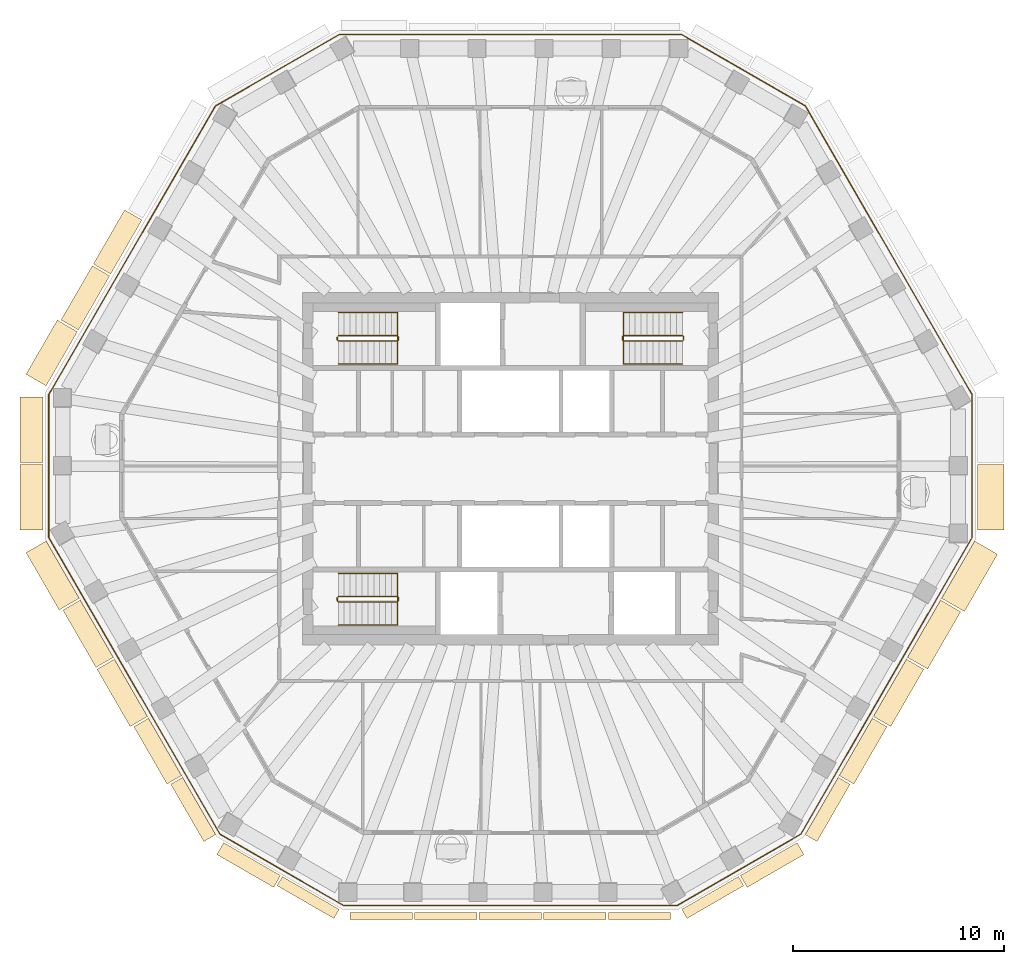
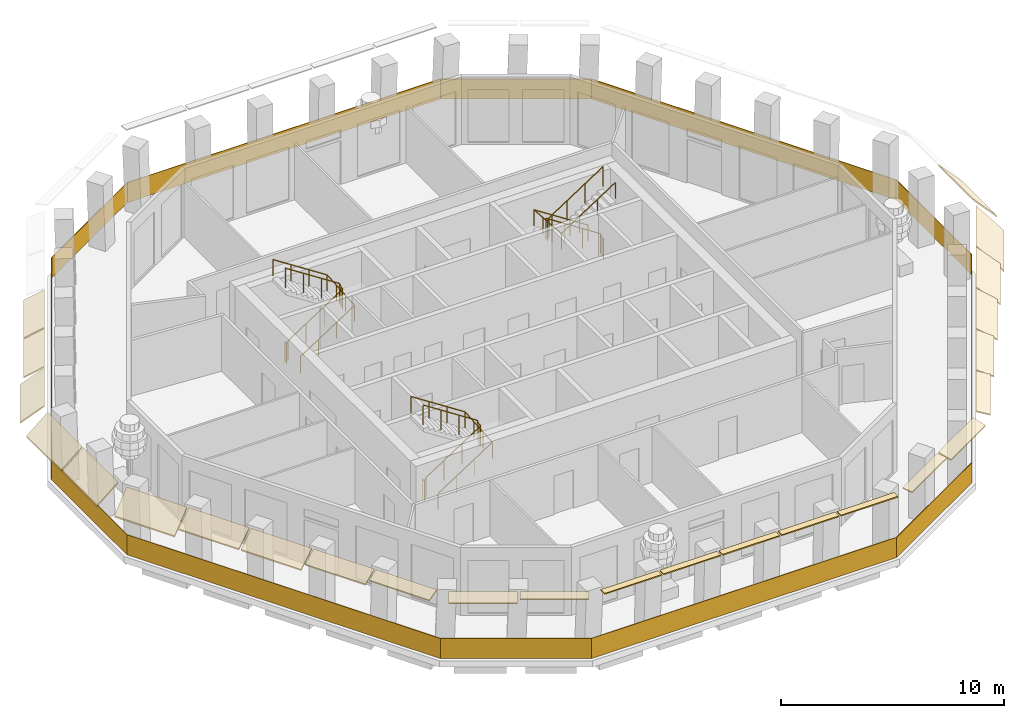
# One storey, part 8 of 11: 25 coverings, 7 railings.
"""IFC4 building model written with IfcOpenShell, lengths in metres."""

from ifc_helpers import new_model, si_unit, direction, frame, origin, origin_2d, place, context, subcontext, project, spatial, polyline, rectangle, circle, outline, extrude, material, layer, layer_set, type_object, element, save


model = new_model("IFC4")

# Units and contexts
model_context = context("Model", 3, precision=1e-05, world=origin(), true_north=direction((0.0, 1.0)))
body_context = subcontext(model_context, "Body", "Model", "MODEL_VIEW")
ifc_project = project(units=[si_unit("LENGTHUNIT", "METRE"), si_unit("AREAUNIT", "SQUARE_METRE"), si_unit("VOLUMEUNIT", "CUBIC_METRE"), si_unit("PLANEANGLEUNIT", "RADIAN"), si_unit("MASSUNIT", "GRAM", prefix="KILO")], contexts=[model_context])

# Site, building, storey
site_placement = place(None, origin())
site = spatial("IfcSite", under=ifc_project, at=site_placement, CompositionType="ELEMENT")
building_placement = place(site_placement, origin())
building = spatial("IfcBuilding", under=site, at=building_placement, Name="Frailejon Research Tower", CompositionType="ELEMENT")
storey_placement = place(building_placement, frame((0.0, 0.0, 312.60009765625)))
storey = spatial("IfcBuildingStorey", under=building, at=storey_placement, Name="L69", CompositionType="ELEMENT", Elevation=312.60009765625)

# Coverings
ifc_material_1 = material(Name="Precast concrete C50/60", Category="concrete")
ifc_layer_1 = layer(ifc_material_1, 0.06005859375)
ifc_layer_set_1 = layer_set([ifc_layer_1], Name="Brim blade depth 1100")
covering_type_1 = type_object("IfcCoveringType", Name="Brim blade depth 1100", PredefinedType="CLADDING", material=ifc_layer_set_1)
covering_1_placement = place(storey_placement, frame((-21.98388671875, 3.92578125, 3.849853515625), z_axis=(0.499995248145, 0.866028147252, 0.0), x_axis=(-0.866028147252, 0.499995248145, 0.0)))
element("IfcCovering", 1, at=covering_1_placement, inside=storey, type_object=covering_type_1, Name="Brim blade L69", PredefinedType="CLADDING", context=body_context, shape_type="SweptSolid", body=[
    extrude(outline(polyline([(0.0, -0.078369140625), (1.10009765625, -1.001220703125), (1.10009765625, -0.923095703125), (0.0, 0.0), (0.0, -0.078369140625)])), origin(), (0.0, 0.0, 1.0), 2.956787109375),
])
for number, where, z_axis, x_axis, name in (
    (2, (-22.122802734375, 0.301513671875, 3.849853515625), (0.0, 1.0, 0.0), (-1.0, 0.0, 0.0), "Brim blade L69"),
    (3, (-22.122802734375, -2.90478515625, 3.849853515625), (0.0, 1.0, 0.0), (-1.0, 0.0, 0.0), "Brim blade L69"),
):
    element("IfcCovering", number, at=place(storey_placement, frame(where, z_axis=z_axis, x_axis=x_axis)), inside=storey, type_object=covering_type_1, Name=name, PredefinedType="CLADDING", context=body_context, shape_type="SweptSolid", body=[
        extrude(outline(polyline([(0.0, -0.078369140625), (1.10009765625, -1.001220703125), (1.10009765625, -0.923095703125), (0.0, 0.0), (0.0, -0.078369140625)])), origin(), (0.0, 0.0, 1.0), 3.106201171875),
    ])
for number, where, z_axis, x_axis, name in (
    (4, (-20.418212890625, -6.134521484375, 3.849853515625), (-0.500003763089, 0.866023231153, 0.0), (-0.866023231153, -0.500003763089, 0.0), "Brim blade L69"),
    (5, (20.368408203125, -6.22119140625, 3.849853515625), (-0.500003763089, -0.866023231153, 0.0), (0.866023231153, -0.500003763089, 0.0), "Brim blade L69"),
):
    element("IfcCovering", number, at=place(storey_placement, frame(where, z_axis=z_axis, x_axis=x_axis)), inside=storey, type_object=covering_type_1, Name=name, PredefinedType="CLADDING", context=body_context, shape_type="SweptSolid", body=[
        extrude(outline(polyline([(0.0, -0.078369140625), (1.10009765625, -1.001220703125), (1.10009765625, -0.923095703125), (0.0, 0.0), (0.0, -0.078369140625)])), origin(), (0.0, 0.0, 1.0), 3.131103515625),
    ])
ifc_material_2 = material(Name="Precast concrete C50/60", Category="concrete")
ifc_layer_2 = layer(ifc_material_2, 0.06005859375)
ifc_layer_set_2 = layer_set([ifc_layer_2], Name="Brim blade depth 1250")
covering_type_2 = type_object("IfcCoveringType", Name="Brim blade depth 1250", PredefinedType="CLADDING", material=ifc_layer_set_2)
covering_2_placement = place(storey_placement, frame((22.122802734375, 0.201416015625, 3.849853515625), z_axis=(0.0, -1.0, 0.0), x_axis=(1.0, 0.0, 0.0)))
element("IfcCovering", 6, at=covering_2_placement, inside=storey, type_object=covering_type_2, Name="Brim blade L69", PredefinedType="CLADDING", context=body_context, shape_type="SweptSolid", body=[
    extrude(outline(polyline([(0.0, -0.0888671875), (1.25, -1.452880859375), (1.25, -1.364013671875), (0.0, 0.0), (0.0, -0.0888671875)])), origin(), (0.0, 0.0, 1.0), 3.106201171875),
])
covering_3_placement = place(storey_placement, frame((21.98388671875, -3.423095703125, 3.849853515625), z_axis=(-0.500003763089, -0.866023231153, 0.0), x_axis=(0.866023231153, -0.500003763089, 0.0)))
element("IfcCovering", 7, at=covering_3_placement, inside=storey, type_object=covering_type_2, Name="Brim blade L69", PredefinedType="CLADDING", context=body_context, shape_type="SweptSolid", body=[
    extrude(outline(polyline([(0.0, -0.0888671875), (1.25, -1.452880859375), (1.25, -1.364013671875), (0.0, 0.0), (0.0, -0.0888671875)])), origin(), (0.0, 0.0, 1.0), 3.131103515625),
])
ifc_material_3 = material(Name="Precast concrete C50/60", Category="concrete")
ifc_layer_3 = layer(ifc_material_3, 0.06005859375)
ifc_layer_set_3 = layer_set([ifc_layer_3], Name="Brim blade depth 350")
covering_type_3 = type_object("IfcCoveringType", Name="Brim blade depth 350", PredefinedType="CLADDING", material=ifc_layer_set_3)
for number, where, z_axis, x_axis, name in (
    (8, (-4.63525390625, -21.00146484375, 3.849853515625), (-1.0, 0.0, 0.0), (0.0, -1.0, 0.0), "Brim blade L69"),
    (9, (-1.578369140625, -21.00146484375, 3.849853515625), (-1.0, 0.0, 0.0), (0.0, -1.0, 0.0), "Brim blade L69"),
    (10, (1.478515625, -21.00146484375, 3.849853515625), (-1.0, 0.0, 0.0), (0.0, -1.0, 0.0), "Brim blade L69"),
    (11, (4.53515625, -21.00146484375, 3.849853515625), (-1.0, 0.0, 0.0), (0.0, -1.0, 0.0), "Brim blade L69"),
    (12, (7.592041015625, -21.00146484375, 3.849853515625), (-1.0, 0.0, 0.0), (0.0, -1.0, 0.0), "Brim blade L69"),
):
    element("IfcCovering", number, at=place(storey_placement, frame(where, z_axis=z_axis, x_axis=x_axis)), inside=storey, type_object=covering_type_3, Name=name, PredefinedType="CLADDING", context=body_context, shape_type="SweptSolid", body=[
        extrude(outline(polyline([(0.0, -0.06005859375), (0.35009765625, -0.06005859375), (0.35009765625, 0.0), (0.0, 0.0), (0.0, -0.06005859375)])), origin(), (0.0, 0.0, 1.0), 2.956787109375),
    ])
ifc_material_4 = material(Name="Precast concrete C50/60", Category="concrete")
ifc_layer_4 = layer(ifc_material_4, 0.06005859375)
ifc_layer_set_4 = layer_set([ifc_layer_4], Name="Brim blade depth 500")
covering_type_4 = type_object("IfcCoveringType", Name="Brim blade depth 500", PredefinedType="CLADDING", material=ifc_layer_set_4)
for number, where, z_axis, x_axis, name in (
    (13, (-8.1103515625, -20.862548828125, 3.849853515625), (-0.86602716254, 0.499996953734, 0.0), (-0.499996953734, -0.86602716254, 0.0), "Brim blade L69"),
    (14, (10.80029296875, -19.3095703125, 3.849853515625), (-0.86602716254, -0.499996953734, 0.0), (0.499996953734, -0.86602716254, 0.0), "Brim blade L69"),
):
    element("IfcCovering", number, at=place(storey_placement, frame(where, z_axis=z_axis, x_axis=x_axis)), inside=storey, type_object=covering_type_4, Name=name, PredefinedType="CLADDING", context=body_context, shape_type="SweptSolid", body=[
        extrude(outline(polyline([(0.0, -0.060546875), (0.5, -0.130859375), (0.5, -0.0703125), (0.0, 0.0), (0.0, -0.060546875)])), origin(), (0.0, 0.0, 1.0), 3.10595703125),
    ])
ifc_material_5 = material(Name="Precast concrete C50/60", Category="concrete")
ifc_layer_5 = layer(ifc_material_5, 0.06005859375)
ifc_layer_set_5 = layer_set([ifc_layer_5], Name="Brim blade depth 650")
covering_type_5 = type_object("IfcCoveringType", Name="Brim blade depth 650", PredefinedType="CLADDING", material=ifc_layer_set_5)
covering_4_placement = place(storey_placement, frame((-13.956298828125, -17.326904296875, 3.849853515625), z_axis=(-0.500003763089, 0.866023231153, 0.0), x_axis=(-0.866023231153, -0.500003763089, 0.0)))
element("IfcCovering", 15, at=covering_4_placement, inside=storey, type_object=covering_type_5, Name="Brim blade L69", PredefinedType="CLADDING", context=body_context, shape_type="SweptSolid", body=[
    extrude(outline(polyline([(0.0, -0.0625), (0.64990234375, -0.248779296875), (0.64990234375, -0.186279296875), (0.0, 0.0), (0.0, -0.0625)])), origin(), (0.0, 0.0, 1.0), 3.131103515625),
])
for number, where, z_axis, x_axis, name in (
    (16, (-10.886962890625, -19.259521484375, 3.849853515625), (-0.86601365609, 0.500020347052, 0.0), (-0.500020347052, -0.86601365609, 0.0), "Brim blade L69"),
    (17, (13.576904296875, -17.706298828125, 3.849853515625), (-0.86601365609, -0.500020347052, 0.0), (0.500020347052, -0.86601365609, 0.0), "Brim blade L69"),
):
    element("IfcCovering", number, at=place(storey_placement, frame(where, z_axis=z_axis, x_axis=x_axis)), inside=storey, type_object=covering_type_5, Name=name, PredefinedType="CLADDING", context=body_context, shape_type="SweptSolid", body=[
        extrude(outline(polyline([(0.0, -0.0625), (0.64990234375, -0.248779296875), (0.64990234375, -0.186279296875), (0.0, 0.0), (0.0, -0.0625)])), origin(), (0.0, 0.0, 1.0), 3.106201171875),
    ])
covering_5_placement = place(storey_placement, frame((15.521728515625, -14.615478515625, 3.849853515625), z_axis=(-0.500003763089, -0.866023231153, 0.0), x_axis=(0.866023231153, -0.500003763089, 0.0)))
element("IfcCovering", 18, at=covering_5_placement, inside=storey, type_object=covering_type_5, Name="Brim blade L69", PredefinedType="CLADDING", context=body_context, shape_type="SweptSolid", body=[
    extrude(outline(polyline([(0.0, -0.0625), (0.64990234375, -0.248779296875), (0.64990234375, -0.186279296875), (0.0, 0.0), (0.0, -0.0625)])), origin(), (0.0, 0.0, 1.0), 3.131103515625),
])
ifc_material_6 = material(Name="Precast concrete C50/60", Category="concrete")
ifc_layer_6 = layer(ifc_material_6, 0.06005859375)
ifc_layer_set_6 = layer_set([ifc_layer_6], Name="Brim blade depth 800")
covering_type_6 = type_object("IfcCoveringType", Name="Brim blade depth 800", PredefinedType="CLADDING", material=ifc_layer_set_6)
for number, where, z_axis, x_axis, name in (
    (19, (-15.57177734375, -14.52880859375, 3.849853515625), (-0.500026975087, 0.866009829151, 0.0), (-0.866009829151, -0.500026975087, 0.0), "Brim blade L69"),
    (20, (17.13720703125, -11.8173828125, 3.849853515625), (-0.500026975087, -0.866009829151, 0.0), (0.866009829151, -0.500026975087, 0.0), "Brim blade L69"),
):
    element("IfcCovering", number, at=place(storey_placement, frame(where, z_axis=z_axis, x_axis=x_axis)), inside=storey, type_object=covering_type_6, Name=name, PredefinedType="CLADDING", context=body_context, shape_type="SweptSolid", body=[
        extrude(outline(polyline([(0.0, -0.065673828125), (0.800048828125, -0.421875), (0.800048828125, -0.356201171875), (0.0, 0.0), (0.0, -0.065673828125)])), origin(), (0.0, 0.0, 1.0), 3.131103515625),
    ])
ifc_material_7 = material(Name="Precast concrete C50/60", Category="concrete")
ifc_layer_7 = layer(ifc_material_7, 0.06005859375)
ifc_layer_set_7 = layer_set([ifc_layer_7], Name="Brim blade depth 950")
covering_type_7 = type_object("IfcCoveringType", Name="Brim blade depth 950", PredefinedType="CLADDING", material=ifc_layer_set_7)
for number, where, z_axis, x_axis, name in (
    (21, (-18.927001953125, 9.220458984375, 3.849853515625), (0.499995248145, 0.866028147252, 0.0), (-0.866028147252, 0.499995248145, 0.0), "Brim blade L69"),
    (22, (-20.455322265625, 6.572998046875, 3.849853515625), (0.500019782897, 0.866013981822, 0.0), (-0.866013981822, 0.500019782897, 0.0), "Brim blade L69"),
):
    element("IfcCovering", number, at=place(storey_placement, frame(where, z_axis=z_axis, x_axis=x_axis)), inside=storey, type_object=covering_type_7, Name=name, PredefinedType="CLADDING", context=body_context, shape_type="SweptSolid", body=[
        extrude(outline(polyline([(0.0, -0.07080078125), (0.949951171875, -0.664306640625), (0.949951171875, -0.593505859375), (0.0, 0.0), (0.0, -0.07080078125)])), origin(), (0.0, 0.0, 1.0), 2.956787109375),
    ])
for number, where, z_axis, x_axis, name in (
    (23, (-18.802734375, -8.9326171875, 3.849853515625), (-0.500003763089, 0.866023231153, 0.0), (-0.866023231153, -0.500003763089, 0.0), "Brim blade L69"),
    (24, (-17.187255859375, -11.730712890625, 3.849853515625), (-0.499990362093, 0.866030968161, 0.0), (-0.866030968161, -0.499990362093, 0.0), "Brim blade L69"),
    (25, (18.752685546875, -9.019287109375, 3.849853515625), (-0.499990362093, -0.866030968161, 0.0), (0.866030968161, -0.499990362093, 0.0), "Brim blade L69"),
):
    element("IfcCovering", number, at=place(storey_placement, frame(where, z_axis=z_axis, x_axis=x_axis)), inside=storey, type_object=covering_type_7, Name=name, PredefinedType="CLADDING", context=body_context, shape_type="SweptSolid", body=[
        extrude(outline(polyline([(0.0, -0.07080078125), (0.949951171875, -0.664306640625), (0.949951171875, -0.593505859375), (0.0, 0.0), (0.0, -0.07080078125)])), origin(), (0.0, 0.0, 1.0), 3.131103515625),
    ])

# Railings
ifc_material_8 = material(Name="Laminated glass balustrade", Category="glass")
railing_type_1 = type_object("IfcRailingType", Name="Glass guard 1100", PredefinedType="GUARDRAIL", material=ifc_material_8)
railing_1_placement = place(storey_placement, frame((21.861083984375, -3.257568359375, 0.0)))
element("IfcRailing", 26, at=railing_1_placement, inside=storey, type_object=railing_type_1, Name="Loggia guard L69", PredefinedType="GUARDRAIL", context=body_context, shape_type="SweptSolid", body=[
    extrude(rectangle(XDim=6.766357421875, YDim=0.030029296875, at=origin_2d()), frame((0.0, 3.38330078125, 0.0), z_axis=(0.0, 0.0, 1.0), x_axis=(0.0, 1.0, 0.0)), (0.0, 0.0, 1.0), 1.10009765625),
    extrude(rectangle(XDim=15.78369140625, YDim=0.030029296875, at=origin_2d()), frame((-3.94580078125, 13.60107421875, 0.0), z_axis=(0.0, 0.0, 1.0), x_axis=(-0.49998533376, 0.866033871176, 0.0)), (0.0, 0.0, 1.0), 1.10009765625),
    extrude(rectangle(XDim=6.766357421875, YDim=0.030029296875, at=origin_2d()), frame((-10.821533203125, 22.126953125, 0.0), z_axis=(0.0, 0.0, 1.0), x_axis=(-0.866034171151, 0.499984814167, 0.0)), (0.0, 0.0, 1.0), 1.10009765625),
    extrude(rectangle(XDim=16.21923828125, YDim=0.030029296875, at=origin_2d()), frame((-21.861083984375, 23.818603515625, 0.0), z_axis=(0.0, 0.0, 1.0), x_axis=(-1.0, 0.0, 0.0)), (0.0, 0.0, 1.0), 1.10009765625),
    extrude(rectangle(XDim=6.766357421875, YDim=0.030029296875, at=origin_2d()), frame((-32.900634765625, 22.126953125, 0.0), z_axis=(0.0, 0.0, 1.0), x_axis=(-0.866034171151, -0.499984814167, 0.0)), (0.0, 0.0, 1.0), 1.10009765625),
    extrude(rectangle(XDim=15.78369140625, YDim=0.030029296875, at=origin_2d()), frame((-39.7763671875, 13.60107421875, 0.0), z_axis=(0.0, 0.0, 1.0), x_axis=(-0.49998533376, -0.866033871176, 0.0)), (0.0, 0.0, 1.0), 1.10009765625),
    extrude(rectangle(XDim=6.766357421875, YDim=0.030029296875, at=origin_2d()), frame((-43.72216796875, 3.38330078125, 0.0), z_axis=(0.0, 0.0, 1.0), x_axis=(0.0, -1.0, 0.0)), (0.0, 0.0, 1.0), 1.10009765625),
    extrude(rectangle(XDim=16.218994140625, YDim=0.030029296875, at=origin_2d()), frame((-39.66748046875, -7.02294921875, 0.0), z_axis=(0.0, 0.0, 1.0), x_axis=(0.499992175891, -0.866029920989, 0.0)), (0.0, 0.0, 1.0), 1.10009765625),
    extrude(rectangle(XDim=6.766357421875, YDim=0.030029296875, at=origin_2d()), frame((-32.682861328125, -15.73779296875, 0.0), z_axis=(0.0, 0.0, 1.0), x_axis=(0.866034171151, -0.499984814167, 0.0)), (0.0, 0.0, 1.0), 1.10009765625),
    extrude(rectangle(XDim=15.78369140625, YDim=0.030029296875, at=origin_2d()), frame((-21.861083984375, -17.42919921875, 0.0), z_axis=(0.0, 0.0, 1.0), x_axis=(1.0, 0.0, 0.0)), (0.0, 0.0, 1.0), 1.10009765625),
    extrude(rectangle(XDim=6.766357421875, YDim=0.030029296875, at=origin_2d()), frame((-11.039306640625, -15.73779296875, 0.0), z_axis=(0.0, 0.0, 1.0), x_axis=(0.866034171151, 0.499984814167, 0.0)), (0.0, 0.0, 1.0), 1.10009765625),
    extrude(rectangle(XDim=16.149169921875, YDim=0.030029296875, at=origin_2d()), frame((-4.072265625, -7.05322265625, 0.0), z_axis=(0.0, 0.0, 1.0), x_axis=(0.49999421546, 0.866028743465, 0.0)), (0.0, 0.0, 1.0), 1.10009765625),
])
ifc_material_9 = material(Name="Stainless steel", Category="steel")
railing_type_2 = type_object("IfcRailingType", Name="Stair guard 1100", PredefinedType="GUARDRAIL", material=ifc_material_9)
railing_2_placement = place(storey_placement, frame((-8.199951171875, 6.25, 0.0)))
element("IfcRailing", 27, at=railing_2_placement, inside=storey, type_object=railing_type_2, Name="L69 ST1 stair guard 1", PredefinedType="GUARDRAIL", context=body_context, shape_type="SweptSolid", body=[
    extrude(circle(Radius=0.02392578125, at=origin_2d()), frame((0.0, 0.0, 1.076171875), z_axis=(0.0, -1.0, 0.0), x_axis=(1.0, 0.0, 0.0)), (0.0, 0.0, 1.0), 0.14990234375),
    extrude(circle(Radius=0.02392578125, at=origin_2d()), frame((0.0, -0.14990234375, 1.076171875), z_axis=(0.256734642926, -0.256734642926, 0.931758899203), x_axis=(0.707106781187, 0.707106781187, 0.0)), (0.0, 0.0, 1.0), 0.19482421875),
    extrude(circle(Radius=0.02392578125, at=origin_2d()), frame((0.050048828125, -0.199951171875, 1.2578125), z_axis=(0.838650734948, 0.0, 0.544669573936), x_axis=(0.0, 1.0, 0.0)), (0.0, 0.0, 1.0), 3.33837890625),
    extrude(circle(Radius=0.02392578125, at=origin_2d()), frame((2.849853515625, -0.199951171875, 3.076171875), z_axis=(0.707106781187, 0.707106781187, 0.0), x_axis=(-0.707106781187, 0.707106781187, 0.0)), (0.0, 0.0, 1.0), 0.07080078125),
    extrude(circle(Radius=0.02392578125, at=origin_2d()), frame((2.89990234375, -0.14990234375, 3.076171875), z_axis=(0.0, 1.0, 0.0), x_axis=(-1.0, 0.0, 0.0)), (0.0, 0.0, 1.0), 0.14990234375),
    extrude(circle(Radius=0.02392578125, at=origin_2d()), frame((2.89990234375, 0.0, 3.076171875), z_axis=(-0.256734642926, 0.256734642926, 0.931758899203), x_axis=(-0.707106781187, -0.707106781187, 0.0)), (0.0, 0.0, 1.0), 0.19482421875),
    extrude(circle(Radius=0.02392578125, at=origin_2d()), frame((2.849853515625, 0.050048828125, 3.2578125), z_axis=(-0.838650734948, 0.0, 0.544669573936), x_axis=(0.0, -1.0, 0.0)), (0.0, 0.0, 1.0), 3.33837890625),
    extrude(circle(Radius=0.02099609375, at=origin_2d()), origin(), (0.0, 0.0, 1.0), 1.052001953125),
    extrude(circle(Radius=0.02099609375, at=origin_2d()), frame((0.0, -0.14990234375, 0.0)), (0.0, 0.0, 1.0), 1.052001953125),
    extrude(circle(Radius=0.02099609375, at=origin_2d()), frame((0.050048828125, -0.199951171875, 0.181640625)), (0.0, 0.0, 1.0), 1.052001953125),
    extrude(circle(Radius=0.02099609375, at=origin_2d()), frame((0.9833984375, -0.199951171875, 0.787841796875)), (0.0, 0.0, 1.0), 1.052001953125),
    extrude(circle(Radius=0.02099609375, at=origin_2d()), frame((1.91650390625, -0.199951171875, 1.393798828125)), (0.0, 0.0, 1.0), 1.052001953125),
    extrude(circle(Radius=0.02099609375, at=origin_2d()), frame((2.849853515625, -0.199951171875, 2.0)), (0.0, 0.0, 1.0), 1.052001953125),
    extrude(circle(Radius=0.02099609375, at=origin_2d()), frame((2.89990234375, -0.14990234375, 2.0)), (0.0, 0.0, 1.0), 1.052001953125),
    extrude(circle(Radius=0.02099609375, at=origin_2d()), frame((2.89990234375, 0.0, 2.0)), (0.0, 0.0, 1.0), 1.052001953125),
    extrude(circle(Radius=0.02099609375, at=origin_2d()), frame((2.849853515625, 0.050048828125, 2.181640625)), (0.0, 0.0, 1.0), 1.052001953125),
    extrude(circle(Radius=0.02099609375, at=origin_2d()), frame((1.91650390625, 0.050048828125, 2.787841796875)), (0.0, 0.0, 1.0), 1.052001953125),
    extrude(circle(Radius=0.02099609375, at=origin_2d()), frame((0.9833984375, 0.050048828125, 3.393798828125)), (0.0, 0.0, 1.0), 1.052001953125),
    extrude(circle(Radius=0.02099609375, at=origin_2d()), frame((0.050048828125, 0.050048828125, 4.0)), (0.0, 0.0, 1.0), 1.052001953125),
])
railing_3_placement = place(storey_placement, frame((-8.199951171875, -6.10009765625, 0.0)))
element("IfcRailing", 28, at=railing_3_placement, inside=storey, type_object=railing_type_2, Name="L69 ST2 stair guard 1", PredefinedType="GUARDRAIL", context=body_context, shape_type="SweptSolid", body=[
    extrude(circle(Radius=0.02392578125, at=origin_2d()), frame((0.0, 0.0, 1.076171875), z_axis=(0.0, -1.0, 0.0), x_axis=(1.0, 0.0, 0.0)), (0.0, 0.0, 1.0), 0.14990234375),
    extrude(circle(Radius=0.02392578125, at=origin_2d()), frame((0.0, -0.14990234375, 1.076171875), z_axis=(0.256734642926, -0.256734642926, 0.931758899203), x_axis=(0.707106781187, 0.707106781187, 0.0)), (0.0, 0.0, 1.0), 0.19482421875),
    extrude(circle(Radius=0.02392578125, at=origin_2d()), frame((0.050048828125, -0.199951171875, 1.2578125), z_axis=(0.838650734948, 0.0, 0.544669573936), x_axis=(0.0, 1.0, 0.0)), (0.0, 0.0, 1.0), 3.33837890625),
    extrude(circle(Radius=0.02392578125, at=origin_2d()), frame((2.849853515625, -0.199951171875, 3.076171875), z_axis=(0.707106781187, 0.707106781187, 0.0), x_axis=(-0.707106781187, 0.707106781187, 0.0)), (0.0, 0.0, 1.0), 0.07080078125),
    extrude(circle(Radius=0.02392578125, at=origin_2d()), frame((2.89990234375, -0.14990234375, 3.076171875), z_axis=(0.0, 1.0, 0.0), x_axis=(-1.0, 0.0, 0.0)), (0.0, 0.0, 1.0), 0.14990234375),
    extrude(circle(Radius=0.02392578125, at=origin_2d()), frame((2.89990234375, 0.0, 3.076171875), z_axis=(-0.256734642926, 0.256734642926, 0.931758899203), x_axis=(-0.707106781187, -0.707106781187, 0.0)), (0.0, 0.0, 1.0), 0.19482421875),
    extrude(circle(Radius=0.02392578125, at=origin_2d()), frame((2.849853515625, 0.050048828125, 3.2578125), z_axis=(-0.838650734948, 0.0, 0.544669573936), x_axis=(0.0, -1.0, 0.0)), (0.0, 0.0, 1.0), 3.33837890625),
    extrude(circle(Radius=0.02099609375, at=origin_2d()), origin(), (0.0, 0.0, 1.0), 1.052001953125),
    extrude(circle(Radius=0.02099609375, at=origin_2d()), frame((0.0, -0.14990234375, 0.0)), (0.0, 0.0, 1.0), 1.052001953125),
    extrude(circle(Radius=0.02099609375, at=origin_2d()), frame((0.050048828125, -0.199951171875, 0.181640625)), (0.0, 0.0, 1.0), 1.052001953125),
    extrude(circle(Radius=0.02099609375, at=origin_2d()), frame((0.9833984375, -0.199951171875, 0.787841796875)), (0.0, 0.0, 1.0), 1.052001953125),
    extrude(circle(Radius=0.02099609375, at=origin_2d()), frame((1.91650390625, -0.199951171875, 1.393798828125)), (0.0, 0.0, 1.0), 1.052001953125),
    extrude(circle(Radius=0.02099609375, at=origin_2d()), frame((2.849853515625, -0.199951171875, 2.0)), (0.0, 0.0, 1.0), 1.052001953125),
    extrude(circle(Radius=0.02099609375, at=origin_2d()), frame((2.89990234375, -0.14990234375, 2.0)), (0.0, 0.0, 1.0), 1.052001953125),
    extrude(circle(Radius=0.02099609375, at=origin_2d()), frame((2.89990234375, 0.0, 2.0)), (0.0, 0.0, 1.0), 1.052001953125),
    extrude(circle(Radius=0.02099609375, at=origin_2d()), frame((2.849853515625, 0.050048828125, 2.181640625)), (0.0, 0.0, 1.0), 1.052001953125),
    extrude(circle(Radius=0.02099609375, at=origin_2d()), frame((1.91650390625, 0.050048828125, 2.787841796875)), (0.0, 0.0, 1.0), 1.052001953125),
    extrude(circle(Radius=0.02099609375, at=origin_2d()), frame((0.9833984375, 0.050048828125, 3.393798828125)), (0.0, 0.0, 1.0), 1.052001953125),
    extrude(circle(Radius=0.02099609375, at=origin_2d()), frame((0.050048828125, 0.050048828125, 4.0)), (0.0, 0.0, 1.0), 1.052001953125),
])
railing_4_placement = place(storey_placement, frame((8.199951171875, 6.10009765625, 0.0)))
element("IfcRailing", 29, at=railing_4_placement, inside=storey, type_object=railing_type_2, Name="L69 ST3 stair guard 1", PredefinedType="GUARDRAIL", context=body_context, shape_type="SweptSolid", body=[
    extrude(circle(Radius=0.02392578125, at=origin_2d()), frame((0.0, 0.0, 1.076171875), z_axis=(0.0, 1.0, 0.0), x_axis=(-1.0, 0.0, 0.0)), (0.0, 0.0, 1.0), 0.14990234375),
    extrude(circle(Radius=0.02392578125, at=origin_2d()), frame((0.0, 0.14990234375, 1.076171875), z_axis=(-0.256734642926, 0.256734642926, 0.931758899203), x_axis=(-0.707106781187, -0.707106781187, 0.0)), (0.0, 0.0, 1.0), 0.19482421875),
    extrude(circle(Radius=0.02392578125, at=origin_2d()), frame((-0.050048828125, 0.199951171875, 1.2578125), z_axis=(-0.838650734948, 0.0, 0.544669573936), x_axis=(0.0, -1.0, 0.0)), (0.0, 0.0, 1.0), 3.33837890625),
    extrude(circle(Radius=0.02392578125, at=origin_2d()), frame((-2.849853515625, 0.199951171875, 3.076171875), z_axis=(-0.707106781187, -0.707106781187, 0.0), x_axis=(0.707106781187, -0.707106781187, 0.0)), (0.0, 0.0, 1.0), 0.07080078125),
    extrude(circle(Radius=0.02392578125, at=origin_2d()), frame((-2.89990234375, 0.14990234375, 3.076171875), z_axis=(0.0, -1.0, 0.0), x_axis=(1.0, 0.0, 0.0)), (0.0, 0.0, 1.0), 0.14990234375),
    extrude(circle(Radius=0.02392578125, at=origin_2d()), frame((-2.89990234375, 0.0, 3.076171875), z_axis=(0.256734642926, -0.256734642926, 0.931758899203), x_axis=(0.707106781187, 0.707106781187, 0.0)), (0.0, 0.0, 1.0), 0.19482421875),
    extrude(circle(Radius=0.02392578125, at=origin_2d()), frame((-2.849853515625, -0.050048828125, 3.2578125), z_axis=(0.838650734948, 0.0, 0.544669573936), x_axis=(0.0, 1.0, 0.0)), (0.0, 0.0, 1.0), 3.33837890625),
    extrude(circle(Radius=0.02099609375, at=origin_2d()), origin(), (0.0, 0.0, 1.0), 1.052001953125),
    extrude(circle(Radius=0.02099609375, at=origin_2d()), frame((0.0, 0.14990234375, 0.0)), (0.0, 0.0, 1.0), 1.052001953125),
    extrude(circle(Radius=0.02099609375, at=origin_2d()), frame((-0.050048828125, 0.199951171875, 0.181640625)), (0.0, 0.0, 1.0), 1.052001953125),
    extrude(circle(Radius=0.02099609375, at=origin_2d()), frame((-0.9833984375, 0.199951171875, 0.787841796875)), (0.0, 0.0, 1.0), 1.052001953125),
    extrude(circle(Radius=0.02099609375, at=origin_2d()), frame((-1.91650390625, 0.199951171875, 1.393798828125)), (0.0, 0.0, 1.0), 1.052001953125),
    extrude(circle(Radius=0.02099609375, at=origin_2d()), frame((-2.849853515625, 0.199951171875, 2.0)), (0.0, 0.0, 1.0), 1.052001953125),
    extrude(circle(Radius=0.02099609375, at=origin_2d()), frame((-2.89990234375, 0.14990234375, 2.0)), (0.0, 0.0, 1.0), 1.052001953125),
    extrude(circle(Radius=0.02099609375, at=origin_2d()), frame((-2.89990234375, 0.0, 2.0)), (0.0, 0.0, 1.0), 1.052001953125),
    extrude(circle(Radius=0.02099609375, at=origin_2d()), frame((-2.849853515625, -0.050048828125, 2.181640625)), (0.0, 0.0, 1.0), 1.052001953125),
    extrude(circle(Radius=0.02099609375, at=origin_2d()), frame((-1.91650390625, -0.050048828125, 2.787841796875)), (0.0, 0.0, 1.0), 1.052001953125),
    extrude(circle(Radius=0.02099609375, at=origin_2d()), frame((-0.9833984375, -0.050048828125, 3.393798828125)), (0.0, 0.0, 1.0), 1.052001953125),
    extrude(circle(Radius=0.02099609375, at=origin_2d()), frame((-0.050048828125, -0.050048828125, 4.0)), (0.0, 0.0, 1.0), 1.052001953125),
])
ifc_material_10 = material(Name="Stainless steel", Category="steel")
railing_type_3 = type_object("IfcRailingType", Name="Stair handrail 900", PredefinedType="HANDRAIL", material=ifc_material_10)
railing_5_placement = place(storey_placement, frame((-8.14990234375, 4.949951171875, 0.181640625)))
element("IfcRailing", 30, at=railing_5_placement, inside=storey, type_object=railing_type_3, Name="L69 ST1 stair handrail 1", PredefinedType="HANDRAIL", context=body_context, shape_type="SweptSolid", body=[
    extrude(circle(Radius=0.02392578125, at=origin_2d()), frame((0.0, 0.0, 0.8759765625), z_axis=(0.838650734948, 0.0, 0.544669573936), x_axis=(0.0, 1.0, 0.0)), (0.0, 0.0, 1.0), 3.33837890625),
    extrude(circle(Radius=0.02392578125, at=origin_2d()), frame((2.7998046875, 0.0, 2.6943359375), z_axis=(0.0, 0.997262871482, 0.073937576122), x_axis=(-1.0, 0.0, 0.0)), (0.0, 0.0, 1.0), 2.456787109375),
    extrude(circle(Radius=0.02392578125, at=origin_2d()), frame((2.7998046875, 2.449951171875, 2.8759765625), z_axis=(-0.838650734948, 0.0, 0.544669573936), x_axis=(0.0, -1.0, 0.0)), (0.0, 0.0, 1.0), 3.33837890625),
    extrude(circle(Radius=0.02099609375, at=origin_2d()), origin(), (0.0, 0.0, 1.0), 0.851806640625),
    extrude(circle(Radius=0.02099609375, at=origin_2d()), frame((0.933349609375, 0.0, 0.606201171875)), (0.0, 0.0, 1.0), 0.851806640625),
    extrude(circle(Radius=0.02099609375, at=origin_2d()), frame((1.866455078125, 0.0, 1.212158203125)), (0.0, 0.0, 1.0), 0.851806640625),
    extrude(circle(Radius=0.02099609375, at=origin_2d()), frame((2.7998046875, 0.0, 1.818359375)), (0.0, 0.0, 1.0), 0.851806640625),
    extrude(circle(Radius=0.02099609375, at=origin_2d()), frame((2.7998046875, 0.816650390625, 1.87890625)), (0.0, 0.0, 1.0), 0.851806640625),
    extrude(circle(Radius=0.02099609375, at=origin_2d()), frame((2.7998046875, 1.63330078125, 1.939453125)), (0.0, 0.0, 1.0), 0.851806640625),
    extrude(circle(Radius=0.02099609375, at=origin_2d()), frame((2.7998046875, 2.449951171875, 2.0)), (0.0, 0.0, 1.0), 0.851806640625),
    extrude(circle(Radius=0.02099609375, at=origin_2d()), frame((1.866455078125, 2.449951171875, 2.606201171875)), (0.0, 0.0, 1.0), 0.851806640625),
    extrude(circle(Radius=0.02099609375, at=origin_2d()), frame((0.933349609375, 2.449951171875, 3.212158203125)), (0.0, 0.0, 1.0), 0.851806640625),
    extrude(circle(Radius=0.02099609375, at=origin_2d()), frame((0.0, 2.449951171875, 3.818359375)), (0.0, 0.0, 1.0), 0.851806640625),
])
railing_6_placement = place(storey_placement, frame((-8.14990234375, -7.39990234375, 0.181640625)))
element("IfcRailing", 31, at=railing_6_placement, inside=storey, type_object=railing_type_3, Name="L69 ST2 stair handrail 1", PredefinedType="HANDRAIL", context=body_context, shape_type="SweptSolid", body=[
    extrude(circle(Radius=0.02392578125, at=origin_2d()), frame((0.0, 0.0, 0.8759765625), z_axis=(0.838650734948, 0.0, 0.544669573936), x_axis=(0.0, 1.0, 0.0)), (0.0, 0.0, 1.0), 3.33837890625),
    extrude(circle(Radius=0.02392578125, at=origin_2d()), frame((2.7998046875, 0.0, 2.6943359375), z_axis=(0.0, 0.997262871482, 0.073937576122), x_axis=(-1.0, 0.0, 0.0)), (0.0, 0.0, 1.0), 2.456787109375),
    extrude(circle(Radius=0.02392578125, at=origin_2d()), frame((2.7998046875, 2.449951171875, 2.8759765625), z_axis=(-0.838650734948, 0.0, 0.544669573936), x_axis=(0.0, -1.0, 0.0)), (0.0, 0.0, 1.0), 3.33837890625),
    extrude(circle(Radius=0.02099609375, at=origin_2d()), origin(), (0.0, 0.0, 1.0), 0.851806640625),
    extrude(circle(Radius=0.02099609375, at=origin_2d()), frame((0.933349609375, 0.0, 0.606201171875)), (0.0, 0.0, 1.0), 0.851806640625),
    extrude(circle(Radius=0.02099609375, at=origin_2d()), frame((1.866455078125, 0.0, 1.212158203125)), (0.0, 0.0, 1.0), 0.851806640625),
    extrude(circle(Radius=0.02099609375, at=origin_2d()), frame((2.7998046875, 0.0, 1.818359375)), (0.0, 0.0, 1.0), 0.851806640625),
    extrude(circle(Radius=0.02099609375, at=origin_2d()), frame((2.7998046875, 0.816650390625, 1.87890625)), (0.0, 0.0, 1.0), 0.851806640625),
    extrude(circle(Radius=0.02099609375, at=origin_2d()), frame((2.7998046875, 1.63330078125, 1.939453125)), (0.0, 0.0, 1.0), 0.851806640625),
    extrude(circle(Radius=0.02099609375, at=origin_2d()), frame((2.7998046875, 2.449951171875, 2.0)), (0.0, 0.0, 1.0), 0.851806640625),
    extrude(circle(Radius=0.02099609375, at=origin_2d()), frame((1.866455078125, 2.449951171875, 2.606201171875)), (0.0, 0.0, 1.0), 0.851806640625),
    extrude(circle(Radius=0.02099609375, at=origin_2d()), frame((0.933349609375, 2.449951171875, 3.212158203125)), (0.0, 0.0, 1.0), 0.851806640625),
    extrude(circle(Radius=0.02099609375, at=origin_2d()), frame((0.0, 2.449951171875, 3.818359375)), (0.0, 0.0, 1.0), 0.851806640625),
])
railing_7_placement = place(storey_placement, frame((8.14990234375, 7.39990234375, 0.181640625)))
element("IfcRailing", 32, at=railing_7_placement, inside=storey, type_object=railing_type_3, Name="L69 ST3 stair handrail 1", PredefinedType="HANDRAIL", context=body_context, shape_type="SweptSolid", body=[
    extrude(circle(Radius=0.02392578125, at=origin_2d()), frame((0.0, 0.0, 0.8759765625), z_axis=(-0.838650734948, 0.0, 0.544669573936), x_axis=(0.0, -1.0, 0.0)), (0.0, 0.0, 1.0), 3.33837890625),
    extrude(circle(Radius=0.02392578125, at=origin_2d()), frame((-2.7998046875, 0.0, 2.6943359375), z_axis=(0.0, -0.997262871482, 0.073937576122), x_axis=(1.0, 0.0, 0.0)), (0.0, 0.0, 1.0), 2.456787109375),
    extrude(circle(Radius=0.02392578125, at=origin_2d()), frame((-2.7998046875, -2.449951171875, 2.8759765625), z_axis=(0.838650734948, 0.0, 0.544669573936), x_axis=(0.0, 1.0, 0.0)), (0.0, 0.0, 1.0), 3.33837890625),
    extrude(circle(Radius=0.02099609375, at=origin_2d()), origin(), (0.0, 0.0, 1.0), 0.851806640625),
    extrude(circle(Radius=0.02099609375, at=origin_2d()), frame((-0.933349609375, 0.0, 0.606201171875)), (0.0, 0.0, 1.0), 0.851806640625),
    extrude(circle(Radius=0.02099609375, at=origin_2d()), frame((-1.866455078125, 0.0, 1.212158203125)), (0.0, 0.0, 1.0), 0.851806640625),
    extrude(circle(Radius=0.02099609375, at=origin_2d()), frame((-2.7998046875, 0.0, 1.818359375)), (0.0, 0.0, 1.0), 0.851806640625),
    extrude(circle(Radius=0.02099609375, at=origin_2d()), frame((-2.7998046875, -0.816650390625, 1.87890625)), (0.0, 0.0, 1.0), 0.851806640625),
    extrude(circle(Radius=0.02099609375, at=origin_2d()), frame((-2.7998046875, -1.63330078125, 1.939453125)), (0.0, 0.0, 1.0), 0.851806640625),
    extrude(circle(Radius=0.02099609375, at=origin_2d()), frame((-2.7998046875, -2.449951171875, 2.0)), (0.0, 0.0, 1.0), 0.851806640625),
    extrude(circle(Radius=0.02099609375, at=origin_2d()), frame((-1.866455078125, -2.449951171875, 2.606201171875)), (0.0, 0.0, 1.0), 0.851806640625),
    extrude(circle(Radius=0.02099609375, at=origin_2d()), frame((-0.933349609375, -2.449951171875, 3.212158203125)), (0.0, 0.0, 1.0), 0.851806640625),
    extrude(circle(Radius=0.02099609375, at=origin_2d()), frame((0.0, -2.449951171875, 3.818359375)), (0.0, 0.0, 1.0), 0.851806640625),
])

save(model, "model.ifc")
